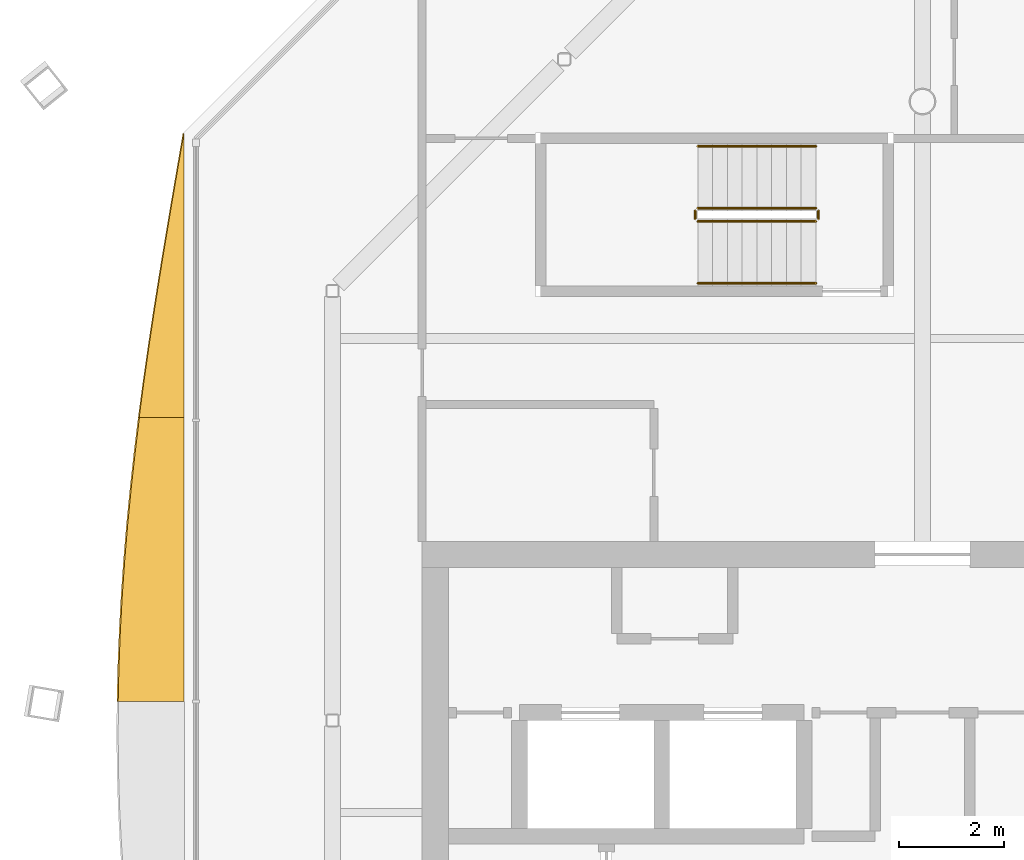
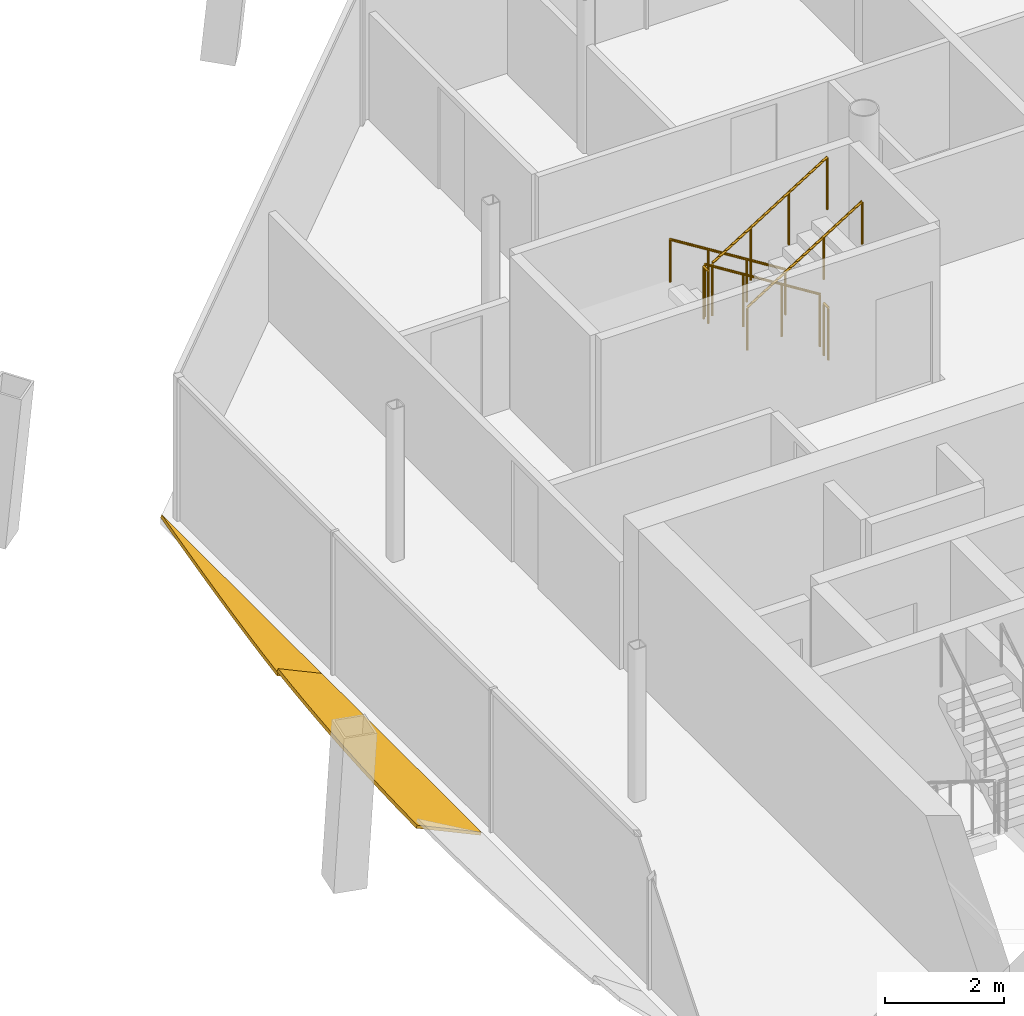
# One storey, part 15 of 16: 6 railings, 2 shading devices.
"""IFC4 building model written with IfcOpenShell, lengths in metres."""

from ifc_helpers import new_model, si_unit, direction, frame, origin, origin_2d, place, context, subcontext, project, spatial, polyline, circle, outline, extrude, material, layer, layer_set, type_object, element, save


model = new_model("IFC4")

# Units and contexts
model_context = context("Model", 3, precision=1e-05, world=origin(), true_north=direction((0.0, 1.0)))
body_context = subcontext(model_context, "Body", "Model", "MODEL_VIEW")
ifc_project = project(units=[si_unit("LENGTHUNIT", "METRE"), si_unit("AREAUNIT", "SQUARE_METRE"), si_unit("VOLUMEUNIT", "CUBIC_METRE"), si_unit("PLANEANGLEUNIT", "RADIAN"), si_unit("MASSUNIT", "GRAM", prefix="KILO")], contexts=[model_context])

# Site, building, storey
site_placement = place(None, origin())
site = spatial("IfcSite", under=ifc_project, at=site_placement, CompositionType="ELEMENT")
building_placement = place(site_placement, origin())
building = spatial("IfcBuilding", under=site, at=building_placement, Name="Tskaro Facet Tower", CompositionType="ELEMENT")
storey_placement = place(building_placement, frame((0.0, 0.0, 262.64990234375)))
storey = spatial("IfcBuildingStorey", under=building, at=storey_placement, Name="L69", CompositionType="ELEMENT", Elevation=262.64990234375)

# Shading devices
ifc_material_1 = material(Name="Bronze anodised aluminium 6063-T6", Category="aluminium")
ifc_layer = layer(ifc_material_1, 0.06005859375, Name="Bronze anodised aluminium 6063-T6")
ifc_layer_set = layer_set([ifc_layer], Name="Bronze anodised aluminium 6063-T6")
shading_device_type = type_object("IfcShadingDeviceType", Name="Bronze sun blade (FN1)", PredefinedType="USERDEFINED", material=ifc_layer_set)
shading_device_1_placement = place(storey_placement, frame((-14.0224609375, 8.39111328125, 0.056396484375), z_axis=(0.342237930547, -1.4590535e-05, 0.939613324023), x_axis=(-4.993435e-06, -0.999999999894, -1.3709461e-05)))
element("IfcShadingDevice", 1, at=shading_device_1_placement, inside=storey, type_object=shading_device_type, Name="Fin blade west 1", ObjectType="FIN", PredefinedType="USERDEFINED", context=body_context, shape_type="SweptSolid", body=[
    extrude(outline(polyline([(0.0, 0.0), (5.391357421301134, 0.0), (5.391357422454256, -0.9026239429180324), (4.71752929649114, -0.8075516476551634), (4.0434570304577075, -0.705450070395917), (3.369628907133272, -0.5973203564594034), (2.69580077950905, -0.4841013617450662), (2.0217285164026055, -0.36685652099168276), (1.3479003914609786, -0.24629529231448688), (0.6740722634606221, -0.12373177299907002), (0.0, 0.0)])), origin(), (0.0, 0.0, -1.0), 0.06005859375),
])
shading_device_2_placement = place(storey_placement, frame((-14.017578125, 2.999755859375, 0.054443359375), z_axis=(0.422600498653, 6.950373e-06, 0.906316069862), x_axis=(2.937231e-06, -0.999999999976, 6.299234e-06)))
element("IfcShadingDevice", 2, at=shading_device_2_placement, inside=storey, type_object=shading_device_type, Name="Fin blade west 2", ObjectType="FIN", PredefinedType="USERDEFINED", context=body_context, shape_type="SweptSolid", body=[
    extrude(outline(polyline([(0.0, 0.0), (5.391357421744778, -2.2833286833760638e-21), (5.391357422302991, -1.3811328814936397), (4.717285157168633, -1.363655205833888), (4.043457030481479, -1.3347175972134313), (3.3696289054094324, -1.294305134960259), (2.695556640610401, -1.24263908764612), (2.0217285160038823, -1.1807077035078786), (1.3479003901440805, -1.1081865400239175), (0.6738281249721106, -1.026594635852457), (2.0006222524726467e-10, -0.9358288170436282), (0.0, 0.0)])), origin(), (0.0, 0.0, -1.0), 0.06005859375),
])

# Railings
ifc_material_2 = material(Name="Stainless steel", Category="steel")
railing_type_1 = type_object("IfcRailingType", Name="RL-GUARD-1100", PredefinedType="GUARDRAIL", material=ifc_material_2)
railing_1_placement = place(storey_placement, frame((-2.02490234375, 6.97509765625, 0.175048828125)))
element("IfcRailing", 3, at=railing_1_placement, inside=storey, type_object=railing_type_1, Name="L69 ST-3 stair guard 1", PredefinedType="GUARDRAIL", context=body_context, shape_type="SweptSolid", body=[
    extrude(circle(Radius=0.02392578125, at=origin_2d()), frame((0.0, 0.0, 1.076171875), z_axis=(-0.847972341737, 0.0, 0.530040477369), x_axis=(0.0, -1.0, 0.0)), (0.0, 0.0, 1.0), 2.6416015625),
    extrude(circle(Radius=0.02099609375, at=origin_2d()), origin(), (0.0, 0.0, 1.0), 1.052001953125),
    extrude(circle(Radius=0.02099609375, at=origin_2d()), frame((-0.74658203125, 0.0, 0.466796875)), (0.0, 0.0, 1.0), 1.052001953125),
    extrude(circle(Radius=0.02099609375, at=origin_2d()), frame((-1.493408203125, 0.0, 0.933349609375)), (0.0, 0.0, 1.0), 1.052001953125),
    extrude(circle(Radius=0.02099609375, at=origin_2d()), frame((-2.239990234375, 0.0, 1.400146484375)), (0.0, 0.0, 1.0), 1.052001953125),
])
railing_2_placement = place(storey_placement, frame((-4.31494140625, 6.925048828125, 1.5751953125)))
element("IfcRailing", 4, at=railing_2_placement, inside=storey, type_object=railing_type_1, Name="L69 ST-3 stair guard 2", PredefinedType="GUARDRAIL", context=body_context, shape_type="SweptSolid", body=[
    extrude(circle(Radius=0.02392578125, at=origin_2d()), frame((0.0, 0.0, 1.076171875), z_axis=(0.0, -1.0, 0.0), x_axis=(1.0, 0.0, 0.0)), (0.0, 0.0, 1.0), 0.150146484375),
    extrude(circle(Radius=0.02099609375, at=origin_2d()), origin(), (0.0, 0.0, 1.0), 1.052001953125),
    extrude(circle(Radius=0.02099609375, at=origin_2d()), frame((0.0, -0.150146484375, 0.0)), (0.0, 0.0, 1.0), 1.052001953125),
])
railing_3_placement = place(storey_placement, frame((-4.264892578125, 6.72509765625, 1.75)))
element("IfcRailing", 5, at=railing_3_placement, inside=storey, type_object=railing_type_1, Name="L69 ST-3 stair guard 3", PredefinedType="GUARDRAIL", context=body_context, shape_type="SweptSolid", body=[
    extrude(circle(Radius=0.02392578125, at=origin_2d()), frame((0.0, 0.0, 1.076171875), z_axis=(0.847972341737, 0.0, 0.530040477369), x_axis=(0.0, 1.0, 0.0)), (0.0, 0.0, 1.0), 2.6416015625),
    extrude(circle(Radius=0.02099609375, at=origin_2d()), origin(), (0.0, 0.0, 1.0), 1.052001953125),
    extrude(circle(Radius=0.02099609375, at=origin_2d()), frame((0.74658203125, 0.0, 0.466796875)), (0.0, 0.0, 1.0), 1.052001953125),
    extrude(circle(Radius=0.02099609375, at=origin_2d()), frame((1.493408203125, 0.0, 0.933349609375)), (0.0, 0.0, 1.0), 1.052001953125),
    extrude(circle(Radius=0.02099609375, at=origin_2d()), frame((2.239990234375, 0.0, 1.400146484375)), (0.0, 0.0, 1.0), 1.052001953125),
])
railing_4_placement = place(storey_placement, frame((-1.97509765625, 6.925048828125, 0.0)))
element("IfcRailing", 6, at=railing_4_placement, inside=storey, type_object=railing_type_1, Name="L69 ST-3 stair guard 4", PredefinedType="GUARDRAIL", context=body_context, shape_type="SweptSolid", body=[
    extrude(circle(Radius=0.02392578125, at=origin_2d()), frame((0.0, 0.0, 1.076171875), z_axis=(0.0, -1.0, 0.0), x_axis=(1.0, 0.0, 0.0)), (0.0, 0.0, 1.0), 0.150146484375),
    extrude(circle(Radius=0.02099609375, at=origin_2d()), origin(), (0.0, 0.0, 1.0), 1.052001953125),
    extrude(circle(Radius=0.02099609375, at=origin_2d()), frame((0.0, -0.150146484375, 0.0)), (0.0, 0.0, 1.0), 1.052001953125),
])
railing_type_2 = type_object("IfcRailingType", Name="RL-HANDRAIL-900", PredefinedType="HANDRAIL", material=ifc_material_2)
railing_5_placement = place(storey_placement, frame((-2.02490234375, 8.14990234375, 0.175048828125)))
element("IfcRailing", 7, at=railing_5_placement, inside=storey, type_object=railing_type_2, Name="L69 ST-3 stair handrail 1", PredefinedType="HANDRAIL", context=body_context, shape_type="SweptSolid", body=[
    extrude(circle(Radius=0.02392578125, at=origin_2d()), frame((0.0, 0.0, 0.8759765625), z_axis=(-0.847972341737, 0.0, 0.530040477369), x_axis=(0.0, -1.0, 0.0)), (0.0, 0.0, 1.0), 2.6416015625),
    extrude(circle(Radius=0.02099609375, at=origin_2d()), origin(), (0.0, 0.0, 1.0), 0.851806640625),
    extrude(circle(Radius=0.02099609375, at=origin_2d()), frame((-0.74658203125, 0.0, 0.466796875)), (0.0, 0.0, 1.0), 0.851806640625),
    extrude(circle(Radius=0.02099609375, at=origin_2d()), frame((-1.493408203125, 0.0, 0.933349609375)), (0.0, 0.0, 1.0), 0.851806640625),
    extrude(circle(Radius=0.02099609375, at=origin_2d()), frame((-2.239990234375, 0.0, 1.400146484375)), (0.0, 0.0, 1.0), 0.851806640625),
])
railing_6_placement = place(storey_placement, frame((-4.264892578125, 5.550048828125, 1.75)))
element("IfcRailing", 8, at=railing_6_placement, inside=storey, type_object=railing_type_2, Name="L69 ST-3 stair handrail 2", PredefinedType="HANDRAIL", context=body_context, shape_type="SweptSolid", body=[
    extrude(circle(Radius=0.02392578125, at=origin_2d()), frame((0.0, 0.0, 0.8759765625), z_axis=(0.847972341737, 0.0, 0.530040477369), x_axis=(0.0, 1.0, 0.0)), (0.0, 0.0, 1.0), 2.6416015625),
    extrude(circle(Radius=0.02099609375, at=origin_2d()), origin(), (0.0, 0.0, 1.0), 0.851806640625),
    extrude(circle(Radius=0.02099609375, at=origin_2d()), frame((0.74658203125, 0.0, 0.466796875)), (0.0, 0.0, 1.0), 0.851806640625),
    extrude(circle(Radius=0.02099609375, at=origin_2d()), frame((1.493408203125, 0.0, 0.933349609375)), (0.0, 0.0, 1.0), 0.851806640625),
    extrude(circle(Radius=0.02099609375, at=origin_2d()), frame((2.239990234375, 0.0, 1.400146484375)), (0.0, 0.0, 1.0), 0.851806640625),
])

save(model, "model.ifc")
